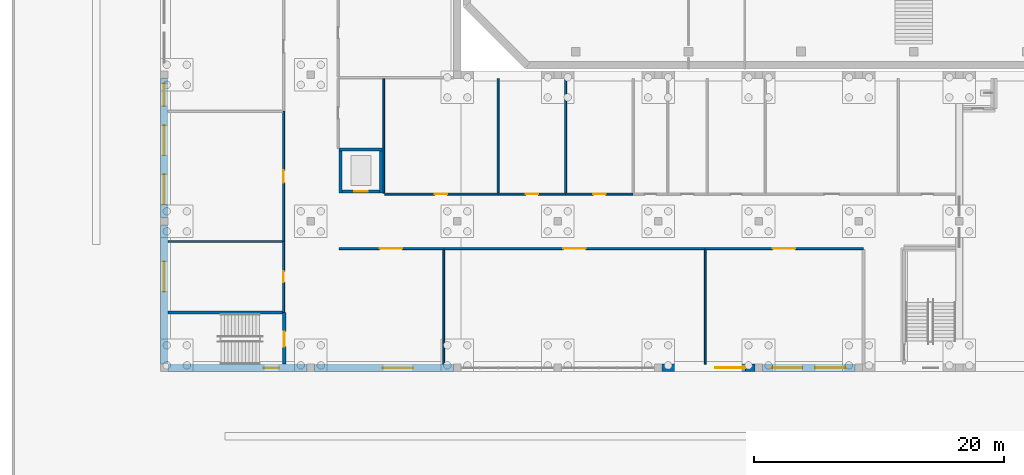
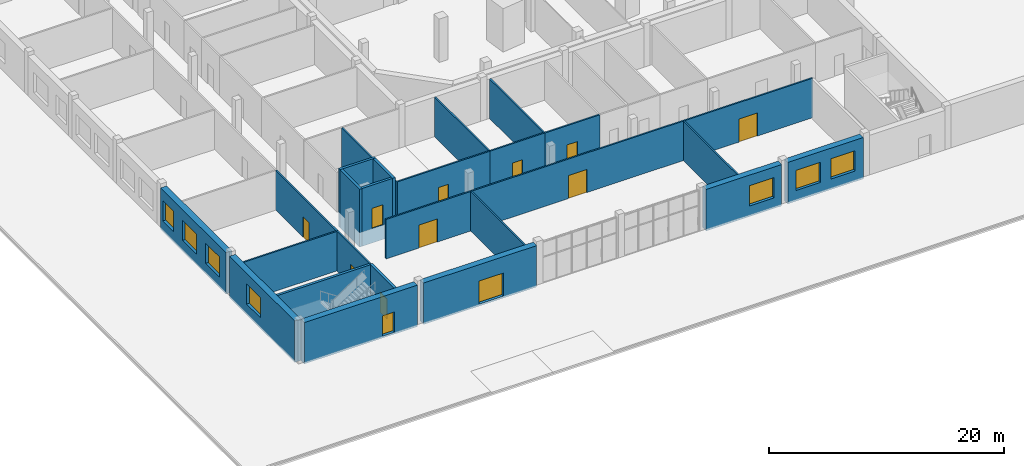
# One storey, part 23 of 42: 26 walls, 12 doors, 7 windows, 19 openings.
"""IFC4 building model written with IfcOpenShell, lengths in metres."""

from ifc_helpers import new_model, si_unit, direction, frame, frame_2d, origin, place, context, subcontext, project, spatial, rectangle, extrude, material, layer, layer_set, type_object, element, fill, save


model = new_model("IFC4")

# Units and contexts
model_context = context("Model", 3, precision=1e-05, world=origin(), true_north=direction((0.0, 1.0)))
body_context = subcontext(model_context, "Body", "Model", "MODEL_VIEW")
ifc_project = project(units=[si_unit("LENGTHUNIT", "METRE"), si_unit("AREAUNIT", "SQUARE_METRE"), si_unit("VOLUMEUNIT", "CUBIC_METRE"), si_unit("PLANEANGLEUNIT", "RADIAN"), si_unit("MASSUNIT", "GRAM", prefix="KILO")], contexts=[model_context])

# Site, building, storey
site_placement = place(None, origin())
site = spatial("IfcSite", under=ifc_project, at=site_placement, CompositionType="ELEMENT")
building_placement = place(site_placement, origin())
building = spatial("IfcBuilding", under=site, at=building_placement, Name="Dilmun Exchange Tower", CompositionType="ELEMENT")
storey_placement = place(building_placement, origin())
storey = spatial("IfcBuildingStorey", under=building, at=storey_placement, Name="L00", CompositionType="ELEMENT", Elevation=0.0)

# Wall, opening, window
ifc_material_1 = material(Name="Precast concrete C40/50", Category="concrete")
ifc_layer_1 = layer(ifc_material_1, 0.60009765625)
ifc_layer_set_1 = layer_set([ifc_layer_1], Name="Precast concrete C40/50")
wall_type_1 = type_object("IfcWallType", Name="School external wall 600 precast C40/50", PredefinedType="STANDARD", material=ifc_layer_set_1)
wall_1_placement = place(storey_placement, frame((-59.85009765625, -59.550048828125, -0.199951171875), z_axis=(0.0, 0.0, 1.0), x_axis=(0.0, 1.0, 0.0)))
wall_1 = element("IfcWall", 1, at=wall_1_placement, inside=storey, type_object=wall_type_1, Name="School external wall", PredefinedType="STANDARD", context=body_context, shape_type="SweptSolid", body=[
    extrude(rectangle(XDim=11.10009765625, YDim=0.60009765625, at=frame_2d((5.550048828125, 0.0))), origin(), (0.0, 0.0, 1.0), 4.300048828125),
])
opening_1_placement = place(wall_1_placement, frame((5.781005859375, 0.0, 1.10009765625)))
opening_1 = element("IfcOpeningElement", 2, at=opening_1_placement, cuts=wall_1, Name="Opening SCH-W24", PredefinedType="OPENING", context=body_context, shape_type="SweptSolid", body=[
    extrude(rectangle(XDim=2.39990234375, YDim=2.10009765625, at=frame_2d((1.199951171875, 1.050048828125))), frame((0.0, 0.31005859375, 0.0), z_axis=(0.0, -1.0, 0.0), x_axis=(1.0, 0.0, 0.0)), (0.0, 0.0, 1.0), 0.6201171875),
])
ifc_material_2 = material(Name="Clear low-emissivity glass in aluminium frame", Category="aluminium")
window_type_1 = type_object("IfcWindowType", Name="School window 2400 x 2100", PartitioningType="DOUBLE_PANEL_VERTICAL", PredefinedType="WINDOW", material=ifc_material_2)
window_1_placement = place(opening_1_placement, origin())
window_1 = element("IfcWindow", 3, at=window_1_placement, inside=storey, type_object=window_type_1, Name="School window", OverallHeight=2.10009765625, OverallWidth=2.39990234375, PartitioningType="SINGLE_PANEL", PredefinedType="WINDOW", context=body_context, shape_type="SweptSolid", body=[
    extrude(rectangle(XDim=2.39990234375, YDim=2.10009765625, at=frame_2d((1.199951171875, 1.050048828125))), frame((0.0, 0.030029296875, 0.0), z_axis=(0.0, -1.0, 0.0), x_axis=(1.0, 0.0, 0.0)), (0.0, 0.0, 1.0), 0.06005859375),
])
fill(opening_1, window_1)

# Wall, openings, windows
wall_2_placement = place(storey_placement, frame((-59.85009765625, -47.85009765625, -0.199951171875), z_axis=(0.0, 0.0, 1.0), x_axis=(0.0, 1.0, 0.0)))
wall_2 = element("IfcWall", 4, at=wall_2_placement, inside=storey, type_object=wall_type_1, Name="School external wall", PredefinedType="STANDARD", context=body_context, shape_type="SweptSolid", body=[
    extrude(rectangle(XDim=11.10009765625, YDim=0.60009765625, at=frame_2d((5.550048828125, 0.0))), origin(), (0.0, 0.0, 1.0), 4.300048828125),
])
opening_2_placement = place(wall_2_placement, frame((1.058349609375, 0.0, 1.10009765625)))
opening_2 = element("IfcOpeningElement", 5, at=opening_2_placement, cuts=wall_2, Name="Opening SCH-W24", PredefinedType="OPENING", context=body_context, shape_type="SweptSolid", body=[
    extrude(rectangle(XDim=2.39990234375, YDim=2.10009765625, at=frame_2d((1.199951171875, 1.050048828125))), frame((0.0, 0.31005859375, 0.0), z_axis=(0.0, -1.0, 0.0), x_axis=(1.0, 0.0, 0.0)), (0.0, 0.0, 1.0), 0.6201171875),
])
opening_3_placement = place(wall_2_placement, frame((4.97509765625, 0.0, 1.10009765625)))
opening_3 = element("IfcOpeningElement", 6, at=opening_3_placement, cuts=wall_2, Name="Opening SCH-W24", PredefinedType="OPENING", context=body_context, shape_type="SweptSolid", body=[
    extrude(rectangle(XDim=2.39990234375, YDim=2.10009765625, at=frame_2d((1.199951171875, 1.050048828125))), frame((0.0, 0.31005859375, 0.0), z_axis=(0.0, -1.0, 0.0), x_axis=(1.0, 0.0, 0.0)), (0.0, 0.0, 1.0), 0.6201171875),
])
opening_4_placement = place(wall_2_placement, frame((8.911865234375, 0.0, 1.10009765625)))
opening_4 = element("IfcOpeningElement", 7, at=opening_4_placement, cuts=wall_2, Name="Opening SCH-W18", PredefinedType="OPENING", context=body_context, shape_type="SweptSolid", body=[
    extrude(rectangle(XDim=1.800048828125, YDim=2.10009765625, at=frame_2d((0.89990234375, 1.050048828125))), frame((0.0, 0.31005859375, 0.0), z_axis=(0.0, -1.0, 0.0), x_axis=(1.0, 0.0, 0.0)), (0.0, 0.0, 1.0), 0.6201171875),
])
window_type_2 = type_object("IfcWindowType", Name="School window 1800 x 2100", PartitioningType="DOUBLE_PANEL_VERTICAL", PredefinedType="WINDOW", material=ifc_material_2)
window_2_placement = place(opening_4_placement, origin())
window_2 = element("IfcWindow", 8, at=window_2_placement, inside=storey, type_object=window_type_2, Name="School window", OverallHeight=2.10009765625, OverallWidth=1.800048828125, PartitioningType="SINGLE_PANEL", PredefinedType="WINDOW", context=body_context, shape_type="SweptSolid", body=[
    extrude(rectangle(XDim=1.800048828125, YDim=2.10009765625, at=frame_2d((0.89990234375, 1.050048828125))), frame((0.0, 0.030029296875, 0.0), z_axis=(0.0, -1.0, 0.0), x_axis=(1.0, 0.0, 0.0)), (0.0, 0.0, 1.0), 0.06005859375),
])
fill(opening_4, window_2)
window_3_placement = place(opening_2_placement, origin())
window_3 = element("IfcWindow", 9, at=window_3_placement, inside=storey, type_object=window_type_1, Name="School window", OverallHeight=2.10009765625, OverallWidth=2.39990234375, PartitioningType="SINGLE_PANEL", PredefinedType="WINDOW", context=body_context, shape_type="SweptSolid", body=[
    extrude(rectangle(XDim=2.39990234375, YDim=2.10009765625, at=frame_2d((1.199951171875, 1.050048828125))), frame((0.0, 0.030029296875, 0.0), z_axis=(0.0, -1.0, 0.0), x_axis=(1.0, 0.0, 0.0)), (0.0, 0.0, 1.0), 0.06005859375),
])
fill(opening_2, window_3)
window_4_placement = place(opening_3_placement, origin())
window_4 = element("IfcWindow", 10, at=window_4_placement, inside=storey, type_object=window_type_1, Name="School window", OverallHeight=2.10009765625, OverallWidth=2.39990234375, PartitioningType="SINGLE_PANEL", PredefinedType="WINDOW", context=body_context, shape_type="SweptSolid", body=[
    extrude(rectangle(XDim=2.39990234375, YDim=2.10009765625, at=frame_2d((1.199951171875, 1.050048828125))), frame((0.0, 0.030029296875, 0.0), z_axis=(0.0, -1.0, 0.0), x_axis=(1.0, 0.0, 0.0)), (0.0, 0.0, 1.0), 0.06005859375),
])
fill(opening_3, window_4)

wall_3_placement = place(storey_placement, frame((-4.683349609375, -59.85009765625, -0.199951171875), z_axis=(0.0, 0.0, 1.0), x_axis=(-1.0, 0.0, 0.0)))
wall_3 = element("IfcWall", 11, at=wall_3_placement, inside=storey, type_object=wall_type_1, Name="School external wall", PredefinedType="STANDARD", context=body_context, shape_type="SweptSolid", body=[
    extrude(rectangle(XDim=7.416748046875, YDim=0.60009765625, at=frame_2d((3.70849609375, 0.0))), origin(), (0.0, 0.0, 1.0), 4.300048828125),
])
opening_5_placement = place(wall_3_placement, frame((0.80419921875, 0.0, 1.10009765625)))
opening_5 = element("IfcOpeningElement", 12, at=opening_5_placement, cuts=wall_3, Name="Opening SCH-W24", PredefinedType="OPENING", context=body_context, shape_type="SweptSolid", body=[
    extrude(rectangle(XDim=2.39990234375, YDim=2.10009765625, at=frame_2d((1.199951171875, 1.050048828125))), frame((0.0, 0.31005859375, 0.0), z_axis=(0.0, -1.0, 0.0), x_axis=(1.0, 0.0, 0.0)), (0.0, 0.0, 1.0), 0.6201171875),
])
opening_6_placement = place(wall_3_placement, frame((4.21240234375, 0.0, 1.10009765625)))
opening_6 = element("IfcOpeningElement", 13, at=opening_6_placement, cuts=wall_3, Name="Opening SCH-W24", PredefinedType="OPENING", context=body_context, shape_type="SweptSolid", body=[
    extrude(rectangle(XDim=2.39990234375, YDim=2.10009765625, at=frame_2d((1.199951171875, 1.050048828125))), frame((0.0, 0.31005859375, 0.0), z_axis=(0.0, -1.0, 0.0), x_axis=(1.0, 0.0, 0.0)), (0.0, 0.0, 1.0), 0.6201171875),
])
window_5_placement = place(opening_5_placement, origin())
window_5 = element("IfcWindow", 14, at=window_5_placement, inside=storey, type_object=window_type_1, Name="School window", OverallHeight=2.10009765625, OverallWidth=2.39990234375, PartitioningType="SINGLE_PANEL", PredefinedType="WINDOW", context=body_context, shape_type="SweptSolid", body=[
    extrude(rectangle(XDim=2.39990234375, YDim=2.10009765625, at=frame_2d((1.199951171875, 1.050048828125))), frame((0.0, 0.030029296875, 0.0), z_axis=(0.0, -1.0, 0.0), x_axis=(1.0, 0.0, 0.0)), (0.0, 0.0, 1.0), 0.06005859375),
])
fill(opening_5, window_5)
window_6_placement = place(opening_6_placement, origin())
window_6 = element("IfcWindow", 15, at=window_6_placement, inside=storey, type_object=window_type_1, Name="School window", OverallHeight=2.10009765625, OverallWidth=2.39990234375, PartitioningType="SINGLE_PANEL", PredefinedType="WINDOW", context=body_context, shape_type="SweptSolid", body=[
    extrude(rectangle(XDim=2.39990234375, YDim=2.10009765625, at=frame_2d((1.199951171875, 1.050048828125))), frame((0.0, 0.030029296875, 0.0), z_axis=(0.0, -1.0, 0.0), x_axis=(1.0, 0.0, 0.0)), (0.0, 0.0, 1.0), 0.06005859375),
])
fill(opening_6, window_6)

# Wall, opening, window
wall_4_placement = place(storey_placement, frame((-12.699951171875, -59.85009765625, -0.199951171875), z_axis=(0.0, 0.0, 1.0), x_axis=(-1.0, 0.0, 0.0)))
wall_4 = element("IfcWall", 16, at=wall_4_placement, inside=storey, type_object=wall_type_1, Name="School external wall", PredefinedType="STANDARD", context=body_context, shape_type="SweptSolid", body=[
    extrude(rectangle(XDim=7.416748046875, YDim=0.60009765625, at=frame_2d((3.70849609375, 0.0))), origin(), (0.0, 0.0, 1.0), 4.300048828125),
])
opening_7_placement = place(wall_4_placement, frame((0.75634765625, 0.0, 1.10009765625)))
opening_7 = element("IfcOpeningElement", 17, at=opening_7_placement, cuts=wall_4, Name="Opening SCH-W24", PredefinedType="OPENING", context=body_context, shape_type="SweptSolid", body=[
    extrude(rectangle(XDim=2.39990234375, YDim=2.10009765625, at=frame_2d((1.199951171875, 1.050048828125))), frame((0.0, 0.31005859375, 0.0), z_axis=(0.0, -1.0, 0.0), x_axis=(1.0, 0.0, 0.0)), (0.0, 0.0, 1.0), 0.6201171875),
])
window_7_placement = place(opening_7_placement, origin())
window_7 = element("IfcWindow", 18, at=window_7_placement, inside=storey, type_object=window_type_1, Name="School window", OverallHeight=2.10009765625, OverallWidth=2.39990234375, PartitioningType="SINGLE_PANEL", PredefinedType="WINDOW", context=body_context, shape_type="SweptSolid", body=[
    extrude(rectangle(XDim=2.39990234375, YDim=2.10009765625, at=frame_2d((1.199951171875, 1.050048828125))), frame((0.0, 0.030029296875, 0.0), z_axis=(0.0, -1.0, 0.0), x_axis=(1.0, 0.0, 0.0)), (0.0, 0.0, 1.0), 0.06005859375),
])
fill(opening_7, window_7)

# Wall, opening, door
wall_5_placement = place(storey_placement, frame((-36.75, -59.85009765625, -0.199951171875), z_axis=(0.0, 0.0, 1.0), x_axis=(-1.0, 0.0, 0.0)))
wall_5 = element("IfcWall", 19, at=wall_5_placement, inside=storey, type_object=wall_type_1, Name="School external wall", PredefinedType="STANDARD", context=body_context, shape_type="SweptSolid", body=[
    extrude(rectangle(XDim=11.10009765625, YDim=0.60009765625, at=frame_2d((5.550048828125, 0.0))), origin(), (0.0, 0.0, 1.0), 4.300048828125),
])
opening_8_placement = place(wall_5_placement, frame((3.25, 0.0, 0.199951171875)))
opening_8 = element("IfcOpeningElement", 20, at=opening_8_placement, cuts=wall_5, Name="Opening SCH-D6", PredefinedType="OPENING", context=body_context, shape_type="SweptSolid", body=[
    extrude(rectangle(XDim=2.39990234375, YDim=2.39990234375, at=frame_2d((1.199951171875, 1.199951171875))), frame((0.0, 0.31005859375, 0.0), z_axis=(0.0, -1.0, 0.0), x_axis=(1.0, 0.0, 0.0)), (0.0, 0.0, 1.0), 0.6201171875),
])
door_type_1 = type_object("IfcDoorType", Name="School glazed entrance door 2400 x 2400", OperationType="DOUBLE_DOOR_SINGLE_SWING", PredefinedType="DOOR", material=ifc_material_2)
door_1_placement = place(opening_8_placement, origin())
door_1 = element("IfcDoor", 21, at=door_1_placement, inside=storey, type_object=door_type_1, Name="School entrance door", OperationType="DOUBLE_DOOR_SINGLE_SWING", OverallHeight=2.39990234375, OverallWidth=2.39990234375, PredefinedType="DOOR", context=body_context, shape_type="SweptSolid", body=[
    extrude(rectangle(XDim=2.39990234375, YDim=2.39990234375, at=frame_2d((1.199951171875, 1.199951171875))), frame((0.0, 0.02490234375, 0.0), z_axis=(0.0, -1.0, 0.0), x_axis=(1.0, 0.0, 0.0)), (0.0, 0.0, 1.0), 0.050048828125),
])
fill(opening_8, door_1)

wall_6_placement = place(storey_placement, frame((-48.449951171875, -59.85009765625, -0.199951171875), z_axis=(0.0, 0.0, 1.0), x_axis=(-1.0, 0.0, 0.0)))
wall_6 = element("IfcWall", 22, at=wall_6_placement, inside=storey, type_object=wall_type_1, Name="School external wall", PredefinedType="STANDARD", context=body_context, shape_type="SweptSolid", body=[
    extrude(rectangle(XDim=11.10009765625, YDim=0.60009765625, at=frame_2d((5.550048828125, 0.0))), origin(), (0.0, 0.0, 1.0), 4.300048828125),
])
opening_9_placement = place(wall_6_placement, frame((2.25, 0.0, 0.199951171875)))
opening_9 = element("IfcOpeningElement", 23, at=opening_9_placement, cuts=wall_6, Name="Opening SCH-D8", PredefinedType="OPENING", context=body_context, shape_type="SweptSolid", body=[
    extrude(rectangle(XDim=1.199951171875, YDim=2.10009765625, at=frame_2d((0.60009765625, 1.050048828125))), frame((0.0, 0.31005859375, 0.0), z_axis=(0.0, -1.0, 0.0), x_axis=(1.0, 0.0, 0.0)), (0.0, 0.0, 1.0), 0.6201171875),
])
ifc_material_3 = material(Name="Timber door leaf in steel frame", Category="steel")
door_type_2 = type_object("IfcDoorType", Name="School exit door FD60 1200 x 2100", OperationType="NOTDEFINED", PredefinedType="DOOR", material=ifc_material_3)
door_2_placement = place(opening_9_placement, origin())
door_2 = element("IfcDoor", 24, at=door_2_placement, inside=storey, type_object=door_type_2, Name="Stair S2 exit door", OperationType="SINGLE_SWING_LEFT", OverallHeight=2.10009765625, OverallWidth=1.199951171875, PredefinedType="DOOR", context=body_context, shape_type="SweptSolid", body=[
    extrude(rectangle(XDim=1.199951171875, YDim=2.10009765625, at=frame_2d((0.60009765625, 1.050048828125))), frame((0.0, 0.02490234375, 0.0), z_axis=(0.0, -1.0, 0.0), x_axis=(1.0, 0.0, 0.0)), (0.0, 0.0, 1.0), 0.050048828125),
])
fill(opening_9, door_2)

# Wall
ifc_material_4 = material(Name="Gypsum board on steel studs", Category="steel")
ifc_layer_2 = layer(ifc_material_4, 0.14990234375)
ifc_layer_set_2 = layer_set([ifc_layer_2], Name="Gypsum board on steel studs")
wall_type_2 = type_object("IfcWallType", Name="School partition 150 gypsum board", PredefinedType="PARTITIONING", material=ifc_layer_set_2)
wall_7_placement = place(storey_placement, frame((-59.550048828125, -49.762939453125, 0.0), z_axis=(0.0, 0.0, 1.0), x_axis=(1.0, 0.0, 0.0)))
element("IfcWall", 25, at=wall_7_placement, inside=storey, type_object=wall_type_2, Name="School partition", PredefinedType="PARTITIONING", context=body_context, shape_type="SweptSolid", body=[
    extrude(rectangle(XDim=9.150146484375, YDim=0.14990234375, at=frame_2d((4.5751953125, 0.0))), origin(), (0.0, 0.0, 1.0), 4.10009765625),
])

# Wall, opening, door
wall_8_placement = place(storey_placement, frame((-50.324951171875, -55.425048828125, 0.0), z_axis=(0.0, 0.0, 1.0), x_axis=(0.0, 1.0, 0.0)))
wall_8 = element("IfcWall", 26, at=wall_8_placement, inside=storey, type_object=wall_type_2, Name="School corridor wall", PredefinedType="PARTITIONING", context=body_context, shape_type="SweptSolid", body=[
    extrude(rectangle(XDim=5.662109375, YDim=0.14990234375, at=frame_2d((2.8310546875, 0.0))), origin(), (0.0, 0.0, 1.0), 4.10009765625),
])
opening_10_placement = place(wall_8_placement, frame((2.406005859375, 0.0, 0.0)))
opening_10 = element("IfcOpeningElement", 27, at=opening_10_placement, cuts=wall_8, Name="Opening SCH-D2", PredefinedType="OPENING", context=body_context, shape_type="SweptSolid", body=[
    extrude(rectangle(XDim=0.89990234375, YDim=2.10009765625, at=frame_2d((0.449951171875, 1.050048828125))), frame((0.0, 0.0849609375, 0.0), z_axis=(0.0, -1.0, 0.0), x_axis=(1.0, 0.0, 0.0)), (0.0, 0.0, 1.0), 0.169921875),
])
door_type_3 = type_object("IfcDoorType", Name="School door FD30S 900 x 2100", OperationType="NOTDEFINED", PredefinedType="DOOR", material=ifc_material_3)
door_3_placement = place(opening_10_placement, origin())
door_3 = element("IfcDoor", 28, at=door_3_placement, inside=storey, type_object=door_type_3, Name="Preparation room door", OperationType="SINGLE_SWING_RIGHT", OverallHeight=2.10009765625, OverallWidth=0.89990234375, PredefinedType="DOOR", context=body_context, shape_type="SweptSolid", body=[
    extrude(rectangle(XDim=0.89990234375, YDim=2.10009765625, at=frame_2d((0.449951171875, 1.050048828125))), frame((0.0, 0.02490234375, 0.0), z_axis=(0.0, -1.0, 0.0), x_axis=(1.0, 0.0, 0.0)), (0.0, 0.0, 1.0), 0.050048828125),
])
fill(opening_10, door_3)

wall_9_placement = place(storey_placement, frame((-50.324951171875, -49.762939453125, 0.0), z_axis=(0.0, 0.0, 1.0), x_axis=(0.0, 1.0, 0.0)))
wall_9 = element("IfcWall", 29, at=wall_9_placement, inside=storey, type_object=wall_type_2, Name="School corridor wall", PredefinedType="PARTITIONING", context=body_context, shape_type="SweptSolid", body=[
    extrude(rectangle(XDim=10.3916015625, YDim=0.14990234375, at=frame_2d((5.19580078125, 0.0))), origin(), (0.0, 0.0, 1.0), 4.10009765625),
])
opening_11_placement = place(wall_9_placement, frame((4.69580078125, 0.0, 0.0)))
opening_11 = element("IfcOpeningElement", 30, at=opening_11_placement, cuts=wall_9, Name="Opening SCH-D1", PredefinedType="OPENING", context=body_context, shape_type="SweptSolid", body=[
    extrude(rectangle(XDim=1.0, YDim=2.10009765625, at=frame_2d((0.5, 1.050048828125))), frame((0.0, 0.0849609375, 0.0), z_axis=(0.0, -1.0, 0.0), x_axis=(1.0, 0.0, 0.0)), (0.0, 0.0, 1.0), 0.169921875),
])
door_type_4 = type_object("IfcDoorType", Name="School door FD30S 1000 x 2100", OperationType="NOTDEFINED", PredefinedType="DOOR", material=ifc_material_3)
door_4_placement = place(opening_11_placement, origin())
door_4 = element("IfcDoor", 31, at=door_4_placement, inside=storey, type_object=door_type_4, Name="Art room door", OperationType="SINGLE_SWING_LEFT", OverallHeight=2.10009765625, OverallWidth=1.0, PredefinedType="DOOR", context=body_context, shape_type="SweptSolid", body=[
    extrude(rectangle(XDim=1.0, YDim=2.10009765625, at=frame_2d((0.5, 1.050048828125))), frame((0.0, 0.02490234375, 0.0), z_axis=(0.0, -1.0, 0.0), x_axis=(1.0, 0.0, 0.0)), (0.0, 0.0, 1.0), 0.050048828125),
])
fill(opening_11, door_4)

# Walls
for number, where, z_axis, x_axis, name in (
    (32, (-37.534423828125, -59.550048828125, 0.0), (0.0, 0.0, 1.0), (0.0, 1.0, 0.0), "School partition"),
    (33, (-16.657958984375, -59.550048828125, 0.0), (0.0, 0.0, 1.0), (0.0, 1.0, 0.0), "School partition"),
):
    element("IfcWall", number, at=place(storey_placement, frame(where, z_axis=z_axis, x_axis=x_axis)), inside=storey, type_object=wall_type_2, Name=name, PredefinedType="PARTITIONING", context=body_context, shape_type="SweptSolid", body=[
        extrude(rectangle(XDim=9.150146484375, YDim=0.14990234375, at=frame_2d((4.5751953125, 0.0))), origin(), (0.0, 0.0, 1.0), 4.10009765625),
    ])

# Wall, opening, door
wall_10_placement = place(storey_placement, frame((-45.89990234375, -50.324951171875, 0.0), z_axis=(0.0, 0.0, 1.0), x_axis=(1.0, 0.0, 0.0)))
wall_10 = element("IfcWall", 34, at=wall_10_placement, inside=storey, type_object=wall_type_2, Name="School corridor wall", PredefinedType="PARTITIONING", context=body_context, shape_type="SweptSolid", body=[
    extrude(rectangle(XDim=8.365478515625, YDim=0.14990234375, at=frame_2d((4.1826171875, 0.0))), origin(), (0.0, 0.0, 1.0), 4.10009765625),
])
opening_12_placement = place(wall_10_placement, frame((3.245361328125, 0.0, 0.0)))
opening_12 = element("IfcOpeningElement", 35, at=opening_12_placement, cuts=wall_10, Name="Opening SCH-D9", PredefinedType="OPENING", context=body_context, shape_type="SweptSolid", body=[
    extrude(rectangle(XDim=1.800048828125, YDim=2.39990234375, at=frame_2d((0.89990234375, 1.199951171875))), frame((0.0, 0.0849609375, 0.0), z_axis=(0.0, -1.0, 0.0), x_axis=(1.0, 0.0, 0.0)), (0.0, 0.0, 1.0), 0.169921875),
])
door_type_5 = type_object("IfcDoorType", Name="School glazed double door 1800 x 2400", OperationType="DOUBLE_DOOR_SINGLE_SWING", PredefinedType="DOOR", material=ifc_material_2)
door_5_placement = place(opening_12_placement, origin())
door_5 = element("IfcDoor", 36, at=door_5_placement, inside=storey, type_object=door_type_5, Name="Entrance hall and reception door", OperationType="DOUBLE_DOOR_SINGLE_SWING", OverallHeight=2.39990234375, OverallWidth=1.800048828125, PredefinedType="DOOR", context=body_context, shape_type="SweptSolid", body=[
    extrude(rectangle(XDim=1.800048828125, YDim=2.39990234375, at=frame_2d((0.89990234375, 1.199951171875))), frame((0.0, 0.02490234375, 0.0), z_axis=(0.0, -1.0, 0.0), x_axis=(1.0, 0.0, 0.0)), (0.0, 0.0, 1.0), 0.050048828125),
])
fill(opening_12, door_5)

wall_11_placement = place(storey_placement, frame((-37.534423828125, -50.324951171875, 0.0), z_axis=(0.0, 0.0, 1.0), x_axis=(1.0, 0.0, 0.0)))
wall_11 = element("IfcWall", 37, at=wall_11_placement, inside=storey, type_object=wall_type_2, Name="School corridor wall", PredefinedType="PARTITIONING", context=body_context, shape_type="SweptSolid", body=[
    extrude(rectangle(XDim=20.87646484375, YDim=0.14990234375, at=frame_2d((10.438232421875, 0.0))), origin(), (0.0, 0.0, 1.0), 4.10009765625),
])
opening_13_placement = place(wall_11_placement, frame((9.538330078125, 0.0, 0.0)))
opening_13 = element("IfcOpeningElement", 38, at=opening_13_placement, cuts=wall_11, Name="Opening SCH-D9", PredefinedType="OPENING", context=body_context, shape_type="SweptSolid", body=[
    extrude(rectangle(XDim=1.800048828125, YDim=2.39990234375, at=frame_2d((0.89990234375, 1.199951171875))), frame((0.0, 0.0849609375, 0.0), z_axis=(0.0, -1.0, 0.0), x_axis=(1.0, 0.0, 0.0)), (0.0, 0.0, 1.0), 0.169921875),
])
door_6_placement = place(opening_13_placement, origin())
door_6 = element("IfcDoor", 39, at=door_6_placement, inside=storey, type_object=door_type_5, Name="Main hall door", OperationType="DOUBLE_DOOR_SINGLE_SWING", OverallHeight=2.39990234375, OverallWidth=1.800048828125, PredefinedType="DOOR", context=body_context, shape_type="SweptSolid", body=[
    extrude(rectangle(XDim=1.800048828125, YDim=2.39990234375, at=frame_2d((0.89990234375, 1.199951171875))), frame((0.0, 0.02490234375, 0.0), z_axis=(0.0, -1.0, 0.0), x_axis=(1.0, 0.0, 0.0)), (0.0, 0.0, 1.0), 0.050048828125),
])
fill(opening_13, door_6)

wall_12_placement = place(storey_placement, frame((-16.657958984375, -50.324951171875, 0.0), z_axis=(0.0, 0.0, 1.0), x_axis=(1.0, 0.0, 0.0)))
wall_12 = element("IfcWall", 40, at=wall_12_placement, inside=storey, type_object=wall_type_2, Name="School corridor wall", PredefinedType="PARTITIONING", context=body_context, shape_type="SweptSolid", body=[
    extrude(rectangle(XDim=12.635986328125, YDim=0.14990234375, at=frame_2d((6.31787109375, 0.0))), origin(), (0.0, 0.0, 1.0), 4.10009765625),
])
opening_14_placement = place(wall_12_placement, frame((5.392822265625, 0.0, 0.0)))
opening_14 = element("IfcOpeningElement", 41, at=opening_14_placement, cuts=wall_12, Name="Opening SCH-D9", PredefinedType="OPENING", context=body_context, shape_type="SweptSolid", body=[
    extrude(rectangle(XDim=1.800048828125, YDim=2.39990234375, at=frame_2d((0.89990234375, 1.199951171875))), frame((0.0, 0.0849609375, 0.0), z_axis=(0.0, -1.0, 0.0), x_axis=(1.0, 0.0, 0.0)), (0.0, 0.0, 1.0), 0.169921875),
])
door_7_placement = place(opening_14_placement, origin())
door_7 = element("IfcDoor", 42, at=door_7_placement, inside=storey, type_object=door_type_5, Name="Canteen door", OperationType="DOUBLE_DOOR_SINGLE_SWING", OverallHeight=2.39990234375, OverallWidth=1.800048828125, PredefinedType="DOOR", context=body_context, shape_type="SweptSolid", body=[
    extrude(rectangle(XDim=1.800048828125, YDim=2.39990234375, at=frame_2d((0.89990234375, 1.199951171875))), frame((0.0, 0.02490234375, 0.0), z_axis=(0.0, -1.0, 0.0), x_axis=(1.0, 0.0, 0.0)), (0.0, 0.0, 1.0), 0.050048828125),
])
fill(opening_14, door_7)

# Walls
for number, where, z_axis, x_axis, name in (
    (43, (-33.193603515625, -45.89990234375, 0.0), (0.0, 0.0, 1.0), (0.0, 1.0, 0.0), "School partition"),
    (44, (-27.804443359375, -45.89990234375, 0.0), (0.0, 0.0, 1.0), (0.0, 1.0, 0.0), "School partition"),
):
    element("IfcWall", number, at=place(storey_placement, frame(where, z_axis=z_axis, x_axis=x_axis)), inside=storey, type_object=wall_type_2, Name=name, PredefinedType="PARTITIONING", context=body_context, shape_type="SweptSolid", body=[
        extrude(rectangle(XDim=9.14990234375, YDim=0.14990234375, at=frame_2d((4.574951171875, 0.0))), origin(), (0.0, 0.0, 1.0), 4.10009765625),
    ])

# Wall, opening, door
wall_13_placement = place(storey_placement, frame((-42.25, -45.97509765625, 0.0), z_axis=(0.0, 0.0, 1.0), x_axis=(1.0, 0.0, 0.0)))
wall_13 = element("IfcWall", 45, at=wall_13_placement, inside=storey, type_object=wall_type_2, Name="School corridor wall", PredefinedType="PARTITIONING", context=body_context, shape_type="SweptSolid", body=[
    extrude(rectangle(XDim=9.056396484375, YDim=0.14990234375, at=frame_2d((4.5283203125, 0.0))), origin(), (0.0, 0.0, 1.0), 4.10009765625),
])
opening_15_placement = place(wall_13_placement, frame((3.99072265625, 0.0, 0.0)))
opening_15 = element("IfcOpeningElement", 46, at=opening_15_placement, cuts=wall_13, Name="Opening SCH-D1", PredefinedType="OPENING", context=body_context, shape_type="SweptSolid", body=[
    extrude(rectangle(XDim=1.0, YDim=2.10009765625, at=frame_2d((0.5, 1.050048828125))), frame((0.0, 0.0849609375, 0.0), z_axis=(0.0, -1.0, 0.0), x_axis=(1.0, 0.0, 0.0)), (0.0, 0.0, 1.0), 0.169921875),
])
door_8_placement = place(opening_15_placement, origin())
door_8 = element("IfcDoor", 47, at=door_8_placement, inside=storey, type_object=door_type_4, Name="Administration office door", OperationType="SINGLE_SWING_LEFT", OverallHeight=2.10009765625, OverallWidth=1.0, PredefinedType="DOOR", context=body_context, shape_type="SweptSolid", body=[
    extrude(rectangle(XDim=1.0, YDim=2.10009765625, at=frame_2d((0.5, 1.050048828125))), frame((0.0, 0.02490234375, 0.0), z_axis=(0.0, -1.0, 0.0), x_axis=(1.0, 0.0, 0.0)), (0.0, 0.0, 1.0), 0.050048828125),
])
fill(opening_15, door_8)

wall_14_placement = place(storey_placement, frame((-33.193603515625, -45.97509765625, 0.0), z_axis=(0.0, 0.0, 1.0), x_axis=(1.0, 0.0, 0.0)))
wall_14 = element("IfcWall", 48, at=wall_14_placement, inside=storey, type_object=wall_type_2, Name="School corridor wall", PredefinedType="PARTITIONING", context=body_context, shape_type="SweptSolid", body=[
    extrude(rectangle(XDim=5.38916015625, YDim=0.14990234375, at=frame_2d((2.694580078125, 0.0))), origin(), (0.0, 0.0, 1.0), 4.10009765625),
])
opening_16_placement = place(wall_14_placement, frame((2.194580078125, 0.0, 0.0)))
opening_16 = element("IfcOpeningElement", 49, at=opening_16_placement, cuts=wall_14, Name="Opening SCH-D1", PredefinedType="OPENING", context=body_context, shape_type="SweptSolid", body=[
    extrude(rectangle(XDim=1.0, YDim=2.10009765625, at=frame_2d((0.5, 1.050048828125))), frame((0.0, 0.0849609375, 0.0), z_axis=(0.0, -1.0, 0.0), x_axis=(1.0, 0.0, 0.0)), (0.0, 0.0, 1.0), 0.169921875),
])
door_9_placement = place(opening_16_placement, origin())
door_9 = element("IfcDoor", 50, at=door_9_placement, inside=storey, type_object=door_type_4, Name="Principal's office door", OperationType="SINGLE_SWING_RIGHT", OverallHeight=2.10009765625, OverallWidth=1.0, PredefinedType="DOOR", context=body_context, shape_type="SweptSolid", body=[
    extrude(rectangle(XDim=1.0, YDim=2.10009765625, at=frame_2d((0.5, 1.050048828125))), frame((0.0, 0.02490234375, 0.0), z_axis=(0.0, -1.0, 0.0), x_axis=(1.0, 0.0, 0.0)), (0.0, 0.0, 1.0), 0.050048828125),
])
fill(opening_16, door_9)

wall_15_placement = place(storey_placement, frame((-27.804443359375, -45.97509765625, 0.0), z_axis=(0.0, 0.0, 1.0), x_axis=(1.0, 0.0, 0.0)))
wall_15 = element("IfcWall", 51, at=wall_15_placement, inside=storey, type_object=wall_type_2, Name="School corridor wall", PredefinedType="PARTITIONING", context=body_context, shape_type="SweptSolid", body=[
    extrude(rectangle(XDim=5.38916015625, YDim=0.14990234375, at=frame_2d((2.694580078125, 0.0))), origin(), (0.0, 0.0, 1.0), 4.10009765625),
])
opening_17_placement = place(wall_15_placement, frame((2.194580078125, 0.0, 0.0)))
opening_17 = element("IfcOpeningElement", 52, at=opening_17_placement, cuts=wall_15, Name="Opening SCH-D1", PredefinedType="OPENING", context=body_context, shape_type="SweptSolid", body=[
    extrude(rectangle(XDim=1.0, YDim=2.10009765625, at=frame_2d((0.5, 1.050048828125))), frame((0.0, 0.0849609375, 0.0), z_axis=(0.0, -1.0, 0.0), x_axis=(1.0, 0.0, 0.0)), (0.0, 0.0, 1.0), 0.169921875),
])
door_10_placement = place(opening_17_placement, origin())
door_10 = element("IfcDoor", 53, at=door_10_placement, inside=storey, type_object=door_type_4, Name="Nurse and first-aid room door", OperationType="SINGLE_SWING_LEFT", OverallHeight=2.10009765625, OverallWidth=1.0, PredefinedType="DOOR", context=body_context, shape_type="SweptSolid", body=[
    extrude(rectangle(XDim=1.0, YDim=2.10009765625, at=frame_2d((0.5, 1.050048828125))), frame((0.0, 0.02490234375, 0.0), z_axis=(0.0, -1.0, 0.0), x_axis=(1.0, 0.0, 0.0)), (0.0, 0.0, 1.0), 0.050048828125),
])
fill(opening_17, door_10)

# Walls
wall_16_placement = place(storey_placement, frame((-42.324951171875, -45.89990234375, 0.0), z_axis=(0.0, 0.0, 1.0), x_axis=(0.0, 1.0, 0.0)))
element("IfcWall", 54, at=wall_16_placement, inside=storey, type_object=wall_type_2, Name="School partition", PredefinedType="PARTITIONING", context=body_context, shape_type="SweptSolid", body=[
    extrude(rectangle(XDim=9.14990234375, YDim=0.14990234375, at=frame_2d((4.574951171875, 0.0))), origin(), (0.0, 0.0, 1.0), 4.10009765625),
])
ifc_material_5 = material(Name="Concrete C40/50", Category="concrete")
ifc_layer_3 = layer(ifc_material_5, 0.25)
ifc_layer_set_3 = layer_set([ifc_layer_3], Name="Concrete C40/50")
wall_type_3 = type_object("IfcWallType", Name="School stair and lift wall 250 C40/50", PredefinedType="SHEAR", material=ifc_layer_set_3)
for number, where, z_axis, x_axis, name in (
    (55, (-45.77490234375, -45.89990234375, -1.5), (0.0, 0.0, 1.0), (0.0, 1.0, 0.0), "School lift shaft wall"),
    (56, (-42.52490234375, -45.89990234375, -1.5), (0.0, 0.0, 1.0), (0.0, 1.0, 0.0), "School lift shaft wall"),
):
    element("IfcWall", number, at=place(storey_placement, frame(where, z_axis=z_axis, x_axis=x_axis)), inside=storey, type_object=wall_type_3, Name=name, PredefinedType="SHEAR", context=body_context, shape_type="SweptSolid", body=[
        extrude(rectangle(XDim=3.599853515625, YDim=0.25, at=frame_2d((1.7998046875, 0.0))), origin(), (0.0, 0.0, 1.0), 6.0),
    ])
wall_17_placement = place(storey_placement, frame((-45.89990234375, -42.425048828125, -1.5), z_axis=(0.0, 0.0, 1.0), x_axis=(1.0, 0.0, 0.0)))
element("IfcWall", 57, at=wall_17_placement, inside=storey, type_object=wall_type_3, Name="School lift shaft wall", PredefinedType="SHEAR", context=body_context, shape_type="SweptSolid", body=[
    extrude(rectangle(XDim=3.5, YDim=0.25, at=frame_2d((1.75, 0.0))), origin(), (0.0, 0.0, 1.0), 6.0),
])

# Wall, opening, door
wall_18_placement = place(storey_placement, frame((-45.89990234375, -45.77490234375, -1.5), z_axis=(0.0, 0.0, 1.0), x_axis=(1.0, 0.0, 0.0)))
wall_18 = element("IfcWall", 58, at=wall_18_placement, inside=storey, type_object=wall_type_3, Name="School lift shaft wall", PredefinedType="SHEAR", context=body_context, shape_type="SweptSolid", body=[
    extrude(rectangle(XDim=3.5, YDim=0.25, at=frame_2d((1.75, 0.0))), origin(), (0.0, 0.0, 1.0), 6.0),
])
opening_18_placement = place(wall_18_placement, frame((1.199951171875, 0.0, 1.5)))
opening_18 = element("IfcOpeningElement", 59, at=opening_18_placement, cuts=wall_18, Name="Opening SCH-LD", PredefinedType="OPENING", context=body_context, shape_type="SweptSolid", body=[
    extrude(rectangle(XDim=1.10009765625, YDim=2.10009765625, at=frame_2d((0.550048828125, 1.050048828125))), frame((0.0, 0.135009765625, 0.0), z_axis=(0.0, -1.0, 0.0), x_axis=(1.0, 0.0, 0.0)), (0.0, 0.0, 1.0), 0.27001953125),
])
door_type_6 = type_object("IfcDoorType", Name="School lift landing door 1100 x 2100", OperationType="DOUBLE_DOOR_SLIDING", PredefinedType="DOOR", material=ifc_material_3)
door_11_placement = place(opening_18_placement, origin())
door_11 = element("IfcDoor", 60, at=door_11_placement, inside=storey, type_object=door_type_6, Name="Lift landing door", OperationType="DOUBLE_DOOR_SLIDING", OverallHeight=2.10009765625, OverallWidth=1.10009765625, PredefinedType="DOOR", context=body_context, shape_type="SweptSolid", body=[
    extrude(rectangle(XDim=1.10009765625, YDim=2.10009765625, at=frame_2d((0.550048828125, 1.050048828125))), frame((0.0, 0.02490234375, 0.0), z_axis=(0.0, -1.0, 0.0), x_axis=(1.0, 0.0, 0.0)), (0.0, 0.0, 1.0), 0.050048828125),
])
fill(opening_18, door_11)

# Wall
wall_19_placement = place(storey_placement, frame((-59.550048828125, -55.425048828125, 0.0), z_axis=(0.0, 0.0, 1.0), x_axis=(1.0, 0.0, 0.0)))
element("IfcWall", 61, at=wall_19_placement, inside=storey, type_object=wall_type_3, Name="School stair or lift wall", PredefinedType="SHEAR", context=body_context, shape_type="SweptSolid", body=[
    extrude(rectangle(XDim=9.150146484375, YDim=0.25, at=frame_2d((4.5751953125, 0.0))), origin(), (0.0, 0.0, 1.0), 4.10009765625),
])

# Wall, opening, door
wall_20_placement = place(storey_placement, frame((-50.27490234375, -59.550048828125, 0.0), z_axis=(0.0, 0.0, 1.0), x_axis=(0.0, 1.0, 0.0)))
wall_20 = element("IfcWall", 62, at=wall_20_placement, inside=storey, type_object=wall_type_3, Name="School corridor wall", PredefinedType="SHEAR", context=body_context, shape_type="SweptSolid", body=[
    extrude(rectangle(XDim=4.125, YDim=0.25, at=frame_2d((2.0625, 0.0))), origin(), (0.0, 0.0, 1.0), 4.10009765625),
])
opening_19_placement = place(wall_20_placement, frame((1.39990234375, 0.0, 0.0)))
opening_19 = element("IfcOpeningElement", 63, at=opening_19_placement, cuts=wall_20, Name="Opening SCH-D3", PredefinedType="OPENING", context=body_context, shape_type="SweptSolid", body=[
    extrude(rectangle(XDim=1.199951171875, YDim=2.10009765625, at=frame_2d((0.60009765625, 1.050048828125))), frame((0.0, 0.135009765625, 0.0), z_axis=(0.0, -1.0, 0.0), x_axis=(1.0, 0.0, 0.0)), (0.0, 0.0, 1.0), 0.27001953125),
])
door_type_7 = type_object("IfcDoorType", Name="School stair door FD60 1200 x 2100", OperationType="NOTDEFINED", PredefinedType="DOOR", material=ifc_material_3)
door_12_placement = place(opening_19_placement, origin())
door_12 = element("IfcDoor", 64, at=door_12_placement, inside=storey, type_object=door_type_7, Name="Stair S2 door", OperationType="SINGLE_SWING_LEFT", OverallHeight=2.10009765625, OverallWidth=1.199951171875, PredefinedType="DOOR", context=body_context, shape_type="SweptSolid", body=[
    extrude(rectangle(XDim=1.199951171875, YDim=2.10009765625, at=frame_2d((0.60009765625, 1.050048828125))), frame((0.0, 0.02490234375, 0.0), z_axis=(0.0, -1.0, 0.0), x_axis=(1.0, 0.0, 0.0)), (0.0, 0.0, 1.0), 0.050048828125),
])
fill(opening_19, door_12)

save(model, "model.ifc")
